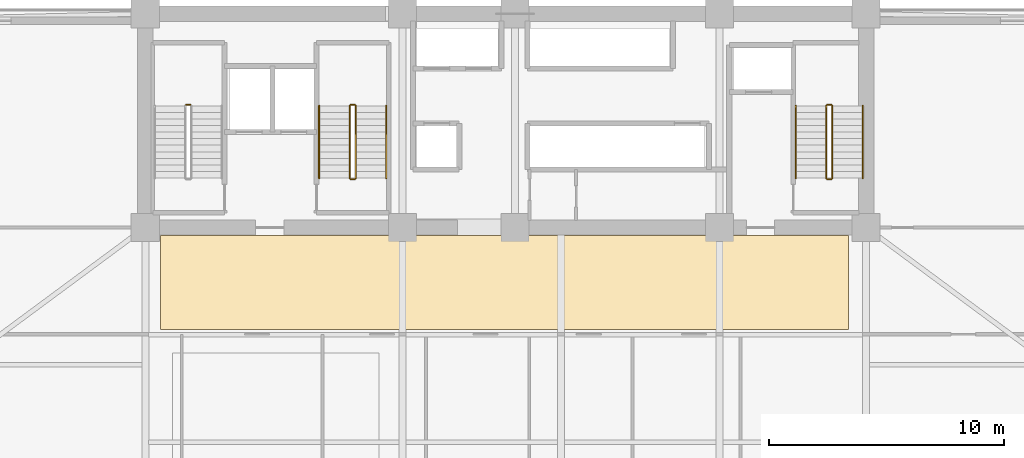
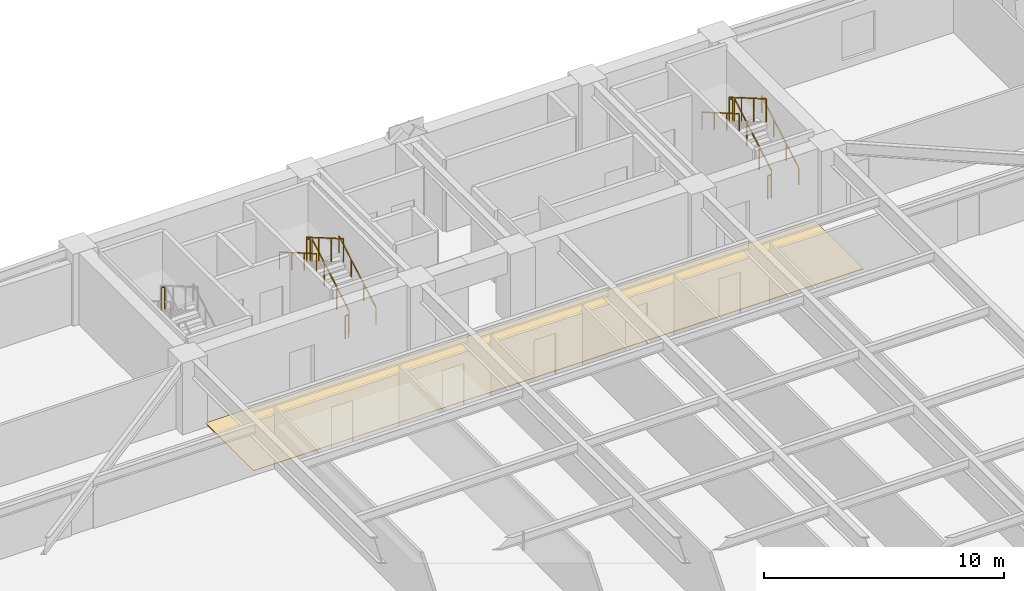
# One storey, part 17 of 18: 13 railings, 1 covering.
"""IFC4 building model written with IfcOpenShell, lengths in metres."""

from ifc_helpers import new_model, si_unit, direction, frame, origin, origin_2d, place, context, subcontext, project, spatial, polyline, rectangle, outline, extrude, material, layer, layer_set, type_object, element, save


model = new_model("IFC4")

# Units and contexts
model_context = context("Model", 3, precision=1e-05, world=origin(), true_north=direction((0.0, 1.0)))
body_context = subcontext(model_context, "Body", "Model", "MODEL_VIEW")
ifc_project = project(units=[si_unit("LENGTHUNIT", "METRE"), si_unit("AREAUNIT", "SQUARE_METRE"), si_unit("VOLUMEUNIT", "CUBIC_METRE"), si_unit("PLANEANGLEUNIT", "RADIAN"), si_unit("MASSUNIT", "GRAM", prefix="KILO")], contexts=[model_context])

# Site, building, storey
site_placement = place(None, origin())
site = spatial("IfcSite", under=ifc_project, at=site_placement, CompositionType="ELEMENT")
building_placement = place(site_placement, origin())
building = spatial("IfcBuilding", under=site, at=building_placement, Name="Giltprow Tower", CompositionType="ELEMENT")
storey_placement = place(building_placement, frame((0.0, 0.0, 68.89990234375)))
storey = spatial("IfcBuildingStorey", under=building, at=storey_placement, Name="L17", CompositionType="ELEMENT", Elevation=68.89990234375)

# Covering
ifc_material_1 = material(Name="Honed granite", Category="masonry")
ifc_layer = layer(ifc_material_1, 0.030029296875, Name="Honed granite")
ifc_layer_set = layer_set([ifc_layer], Name="Honed granite")
covering_type = type_object("IfcCoveringType", Name="COV-FLR-STONE", PredefinedType="FLOORING", material=ifc_layer_set)
covering_placement = place(storey_placement, origin())
element("IfcCovering", 1, at=covering_placement, inside=storey, type_object=covering_type, Name="L17 Office Corridor Stone Flooring", PredefinedType="FLOORING", context=body_context, shape_type="SweptSolid", body=[
    extrude(outline(polyline([(20.5, 33.10009765625), (49.800048828125, 33.10009765625), (49.800048828125, 37.10009765625), (20.5, 37.10009765625), (20.5, 33.10009765625)])), origin(), (0.0, 0.0, 1.0), 0.030029296875),
])

# Railings
ifc_material_2 = material(Name="Anodized bronze", Category="metal")
railing_type_1 = type_object("IfcRailingType", Name="RAIL-STAIR-GUARD-1200", PredefinedType="GUARDRAIL", material=ifc_material_2)
railing_1_placement = place(storey_placement, frame((21.760009765625, 42.679931640625, 1.9501953125)))
element("IfcRailing", 2, at=railing_1_placement, inside=storey, type_object=railing_type_1, Name="L17 ST-1 stair guard 2", PredefinedType="GUARDRAIL", context=body_context, shape_type="SweptSolid", body=[
    extrude(rectangle(XDim=0.048095703125, YDim=0.048095703125, at=origin_2d()), frame((0.0, 0.0, 1.17578125), z_axis=(-1.0, 0.0, 0.0), x_axis=(0.0, -1.0, 0.0)), (0.0, 0.0, 1.0), 0.159912109375),
    extrude(rectangle(XDim=0.0419921875, YDim=0.0419921875, at=origin_2d()), origin(), (0.0, 0.0, 1.0), 1.15185546875),
    extrude(rectangle(XDim=0.0419921875, YDim=0.0419921875, at=origin_2d()), frame((-0.159912109375, 0.0, 0.0)), (0.0, 0.0, 1.0), 1.15185546875),
])
railing_2_placement = place(storey_placement, frame((28.81005859375, 39.550048828125, 0.16259765625)))
element("IfcRailing", 3, at=railing_2_placement, inside=storey, type_object=railing_type_1, Name="L17 ST-2 stair guard 1", PredefinedType="GUARDRAIL", context=body_context, shape_type="SweptSolid", body=[
    extrude(rectangle(XDim=0.048095703125, YDim=0.048095703125, at=origin_2d()), frame((0.0, 0.0, 1.17578125), z_axis=(0.0, 0.864873446163, 0.501989962173), x_axis=(-1.0, 0.0, 0.0)), (0.0, 0.0, 1.0), 3.56103515625),
    extrude(rectangle(XDim=0.0419921875, YDim=0.0419921875, at=origin_2d()), origin(), (0.0, 0.0, 1.0), 1.15185546875),
    extrude(rectangle(XDim=0.0419921875, YDim=0.0419921875, at=origin_2d()), frame((0.0, 1.026611328125, 0.595947265625)), (0.0, 0.0, 1.0), 1.15185546875),
    extrude(rectangle(XDim=0.0419921875, YDim=0.0419921875, at=origin_2d()), frame((0.0, 2.05322265625, 1.191650390625)), (0.0, 0.0, 1.0), 1.15185546875),
    extrude(rectangle(XDim=0.0419921875, YDim=0.0419921875, at=origin_2d()), frame((0.0, 3.079833984375, 1.78759765625)), (0.0, 0.0, 1.0), 1.15185546875),
])
railing_3_placement = place(storey_placement, frame((28.760009765625, 42.679931640625, 1.9501953125)))
element("IfcRailing", 4, at=railing_3_placement, inside=storey, type_object=railing_type_1, Name="L17 ST-2 stair guard 2", PredefinedType="GUARDRAIL", context=body_context, shape_type="SweptSolid", body=[
    extrude(rectangle(XDim=0.048095703125, YDim=0.048095703125, at=origin_2d()), frame((0.0, 0.0, 1.17578125), z_axis=(-1.0, 0.0, 0.0), x_axis=(0.0, -1.0, 0.0)), (0.0, 0.0, 1.0), 0.159912109375),
    extrude(rectangle(XDim=0.0419921875, YDim=0.0419921875, at=origin_2d()), origin(), (0.0, 0.0, 1.0), 1.15185546875),
    extrude(rectangle(XDim=0.0419921875, YDim=0.0419921875, at=origin_2d()), frame((-0.159912109375, 0.0, 0.0)), (0.0, 0.0, 1.0), 1.15185546875),
])
railing_4_placement = place(storey_placement, frame((28.550048828125, 42.6298828125, 2.112548828125)))
element("IfcRailing", 5, at=railing_4_placement, inside=storey, type_object=railing_type_1, Name="L17 ST-2 stair guard 3", PredefinedType="GUARDRAIL", context=body_context, shape_type="SweptSolid", body=[
    extrude(rectangle(XDim=0.048095703125, YDim=0.048095703125, at=origin_2d()), frame((0.0, 0.0, 1.17578125), z_axis=(0.0, -0.864873446163, 0.501989962173), x_axis=(1.0, 0.0, 0.0)), (0.0, 0.0, 1.0), 3.56103515625),
    extrude(rectangle(XDim=0.0419921875, YDim=0.0419921875, at=origin_2d()), origin(), (0.0, 0.0, 1.0), 1.15185546875),
    extrude(rectangle(XDim=0.0419921875, YDim=0.0419921875, at=origin_2d()), frame((0.0, -1.026611328125, 0.595947265625)), (0.0, 0.0, 1.0), 1.15185546875),
    extrude(rectangle(XDim=0.0419921875, YDim=0.0419921875, at=origin_2d()), frame((0.0, -2.05322265625, 1.191650390625)), (0.0, 0.0, 1.0), 1.15185546875),
    extrude(rectangle(XDim=0.0419921875, YDim=0.0419921875, at=origin_2d()), frame((0.0, -3.079833984375, 1.78759765625)), (0.0, 0.0, 1.0), 1.15185546875),
])
railing_5_placement = place(storey_placement, frame((28.760009765625, 39.5, 0.0)))
element("IfcRailing", 6, at=railing_5_placement, inside=storey, type_object=railing_type_1, Name="L17 ST-2 stair guard 4", PredefinedType="GUARDRAIL", context=body_context, shape_type="SweptSolid", body=[
    extrude(rectangle(XDim=0.048095703125, YDim=0.048095703125, at=origin_2d()), frame((0.0, 0.0, 1.17578125), z_axis=(-1.0, 0.0, 0.0), x_axis=(0.0, -1.0, 0.0)), (0.0, 0.0, 1.0), 0.159912109375),
    extrude(rectangle(XDim=0.0419921875, YDim=0.0419921875, at=origin_2d()), origin(), (0.0, 0.0, 1.0), 1.15185546875),
    extrude(rectangle(XDim=0.0419921875, YDim=0.0419921875, at=origin_2d()), frame((-0.159912109375, 0.0, 0.0)), (0.0, 0.0, 1.0), 1.15185546875),
])
railing_6_placement = place(storey_placement, frame((49.110107421875, 39.550048828125, 0.16259765625)))
element("IfcRailing", 7, at=railing_6_placement, inside=storey, type_object=railing_type_1, Name="L17 ST-3 stair guard 1", PredefinedType="GUARDRAIL", context=body_context, shape_type="SweptSolid", body=[
    extrude(rectangle(XDim=0.048095703125, YDim=0.048095703125, at=origin_2d()), frame((0.0, 0.0, 1.17578125), z_axis=(0.0, 0.864873446163, 0.501989962173), x_axis=(-1.0, 0.0, 0.0)), (0.0, 0.0, 1.0), 3.56103515625),
    extrude(rectangle(XDim=0.0419921875, YDim=0.0419921875, at=origin_2d()), origin(), (0.0, 0.0, 1.0), 1.15185546875),
    extrude(rectangle(XDim=0.0419921875, YDim=0.0419921875, at=origin_2d()), frame((0.0, 1.026611328125, 0.595947265625)), (0.0, 0.0, 1.0), 1.15185546875),
    extrude(rectangle(XDim=0.0419921875, YDim=0.0419921875, at=origin_2d()), frame((0.0, 2.05322265625, 1.191650390625)), (0.0, 0.0, 1.0), 1.15185546875),
    extrude(rectangle(XDim=0.0419921875, YDim=0.0419921875, at=origin_2d()), frame((0.0, 3.079833984375, 1.78759765625)), (0.0, 0.0, 1.0), 1.15185546875),
])
railing_7_placement = place(storey_placement, frame((49.06005859375, 42.679931640625, 1.9501953125)))
element("IfcRailing", 8, at=railing_7_placement, inside=storey, type_object=railing_type_1, Name="L17 ST-3 stair guard 2", PredefinedType="GUARDRAIL", context=body_context, shape_type="SweptSolid", body=[
    extrude(rectangle(XDim=0.048095703125, YDim=0.048095703125, at=origin_2d()), frame((0.0, 0.0, 1.17578125), z_axis=(-1.0, 0.0, 0.0), x_axis=(0.0, -1.0, 0.0)), (0.0, 0.0, 1.0), 0.16015625),
    extrude(rectangle(XDim=0.0419921875, YDim=0.0419921875, at=origin_2d()), origin(), (0.0, 0.0, 1.0), 1.15185546875),
    extrude(rectangle(XDim=0.0419921875, YDim=0.0419921875, at=origin_2d()), frame((-0.16015625, 0.0, 0.0)), (0.0, 0.0, 1.0), 1.15185546875),
])
railing_8_placement = place(storey_placement, frame((48.85009765625, 42.6298828125, 2.112548828125)))
element("IfcRailing", 9, at=railing_8_placement, inside=storey, type_object=railing_type_1, Name="L17 ST-3 stair guard 3", PredefinedType="GUARDRAIL", context=body_context, shape_type="SweptSolid", body=[
    extrude(rectangle(XDim=0.048095703125, YDim=0.048095703125, at=origin_2d()), frame((0.0, 0.0, 1.17578125), z_axis=(0.0, -0.864873446163, 0.501989962173), x_axis=(1.0, 0.0, 0.0)), (0.0, 0.0, 1.0), 3.56103515625),
    extrude(rectangle(XDim=0.0419921875, YDim=0.0419921875, at=origin_2d()), origin(), (0.0, 0.0, 1.0), 1.15185546875),
    extrude(rectangle(XDim=0.0419921875, YDim=0.0419921875, at=origin_2d()), frame((0.0, -1.026611328125, 0.595947265625)), (0.0, 0.0, 1.0), 1.15185546875),
    extrude(rectangle(XDim=0.0419921875, YDim=0.0419921875, at=origin_2d()), frame((0.0, -2.05322265625, 1.191650390625)), (0.0, 0.0, 1.0), 1.15185546875),
    extrude(rectangle(XDim=0.0419921875, YDim=0.0419921875, at=origin_2d()), frame((0.0, -3.079833984375, 1.78759765625)), (0.0, 0.0, 1.0), 1.15185546875),
])
railing_9_placement = place(storey_placement, frame((49.06005859375, 39.5, 0.0)))
element("IfcRailing", 10, at=railing_9_placement, inside=storey, type_object=railing_type_1, Name="L17 ST-3 stair guard 4", PredefinedType="GUARDRAIL", context=body_context, shape_type="SweptSolid", body=[
    extrude(rectangle(XDim=0.048095703125, YDim=0.048095703125, at=origin_2d()), frame((0.0, 0.0, 1.17578125), z_axis=(-1.0, 0.0, 0.0), x_axis=(0.0, -1.0, 0.0)), (0.0, 0.0, 1.0), 0.16015625),
    extrude(rectangle(XDim=0.0419921875, YDim=0.0419921875, at=origin_2d()), origin(), (0.0, 0.0, 1.0), 1.15185546875),
    extrude(rectangle(XDim=0.0419921875, YDim=0.0419921875, at=origin_2d()), frame((-0.16015625, 0.0, 0.0)), (0.0, 0.0, 1.0), 1.15185546875),
])
railing_type_2 = type_object("IfcRailingType", Name="RAIL-STAIR-HAND-900", PredefinedType="HANDRAIL", material=ifc_material_2)
railing_10_placement = place(storey_placement, frame((30.110107421875, 39.550048828125, 0.16259765625)))
element("IfcRailing", 11, at=railing_10_placement, inside=storey, type_object=railing_type_2, Name="L17 ST-2 stair handrail 1", PredefinedType="HANDRAIL", context=body_context, shape_type="SweptSolid", body=[
    extrude(rectangle(XDim=0.048095703125, YDim=0.048095703125, at=origin_2d()), frame((0.0, 0.0, 0.8759765625), z_axis=(0.0, 0.864873446163, 0.501989962173), x_axis=(-1.0, 0.0, 0.0)), (0.0, 0.0, 1.0), 3.56103515625),
    extrude(rectangle(XDim=0.0419921875, YDim=0.0419921875, at=origin_2d()), origin(), (0.0, 0.0, 1.0), 0.851806640625),
    extrude(rectangle(XDim=0.0419921875, YDim=0.0419921875, at=origin_2d()), frame((0.0, 1.026611328125, 0.595947265625)), (0.0, 0.0, 1.0), 0.851806640625),
    extrude(rectangle(XDim=0.0419921875, YDim=0.0419921875, at=origin_2d()), frame((0.0, 2.05322265625, 1.191650390625)), (0.0, 0.0, 1.0), 0.851806640625),
    extrude(rectangle(XDim=0.0419921875, YDim=0.0419921875, at=origin_2d()), frame((0.0, 3.079833984375, 1.78759765625)), (0.0, 0.0, 1.0), 0.851806640625),
])
railing_11_placement = place(storey_placement, frame((27.25, 42.6298828125, 2.112548828125)))
element("IfcRailing", 12, at=railing_11_placement, inside=storey, type_object=railing_type_2, Name="L17 ST-2 stair handrail 2", PredefinedType="HANDRAIL", context=body_context, shape_type="SweptSolid", body=[
    extrude(rectangle(XDim=0.048095703125, YDim=0.048095703125, at=origin_2d()), frame((0.0, 0.0, 0.8759765625), z_axis=(0.0, -0.864873446163, 0.501989962173), x_axis=(1.0, 0.0, 0.0)), (0.0, 0.0, 1.0), 3.56103515625),
    extrude(rectangle(XDim=0.0419921875, YDim=0.0419921875, at=origin_2d()), origin(), (0.0, 0.0, 1.0), 0.851806640625),
    extrude(rectangle(XDim=0.0419921875, YDim=0.0419921875, at=origin_2d()), frame((0.0, -1.026611328125, 0.595947265625)), (0.0, 0.0, 1.0), 0.851806640625),
    extrude(rectangle(XDim=0.0419921875, YDim=0.0419921875, at=origin_2d()), frame((0.0, -2.05322265625, 1.191650390625)), (0.0, 0.0, 1.0), 0.851806640625),
    extrude(rectangle(XDim=0.0419921875, YDim=0.0419921875, at=origin_2d()), frame((0.0, -3.079833984375, 1.78759765625)), (0.0, 0.0, 1.0), 0.851806640625),
])
railing_12_placement = place(storey_placement, frame((50.409912109375, 39.550048828125, 0.16259765625)))
element("IfcRailing", 13, at=railing_12_placement, inside=storey, type_object=railing_type_2, Name="L17 ST-3 stair handrail 1", PredefinedType="HANDRAIL", context=body_context, shape_type="SweptSolid", body=[
    extrude(rectangle(XDim=0.048095703125, YDim=0.048095703125, at=origin_2d()), frame((0.0, 0.0, 0.8759765625), z_axis=(0.0, 0.864873446163, 0.501989962173), x_axis=(-1.0, 0.0, 0.0)), (0.0, 0.0, 1.0), 3.56103515625),
    extrude(rectangle(XDim=0.0419921875, YDim=0.0419921875, at=origin_2d()), origin(), (0.0, 0.0, 1.0), 0.851806640625),
    extrude(rectangle(XDim=0.0419921875, YDim=0.0419921875, at=origin_2d()), frame((0.0, 1.026611328125, 0.595947265625)), (0.0, 0.0, 1.0), 0.851806640625),
    extrude(rectangle(XDim=0.0419921875, YDim=0.0419921875, at=origin_2d()), frame((0.0, 2.05322265625, 1.191650390625)), (0.0, 0.0, 1.0), 0.851806640625),
    extrude(rectangle(XDim=0.0419921875, YDim=0.0419921875, at=origin_2d()), frame((0.0, 3.079833984375, 1.78759765625)), (0.0, 0.0, 1.0), 0.851806640625),
])
railing_13_placement = place(storey_placement, frame((47.550048828125, 42.6298828125, 2.112548828125)))
element("IfcRailing", 14, at=railing_13_placement, inside=storey, type_object=railing_type_2, Name="L17 ST-3 stair handrail 2", PredefinedType="HANDRAIL", context=body_context, shape_type="SweptSolid", body=[
    extrude(rectangle(XDim=0.048095703125, YDim=0.048095703125, at=origin_2d()), frame((0.0, 0.0, 0.8759765625), z_axis=(0.0, -0.864873446163, 0.501989962173), x_axis=(1.0, 0.0, 0.0)), (0.0, 0.0, 1.0), 3.56103515625),
    extrude(rectangle(XDim=0.0419921875, YDim=0.0419921875, at=origin_2d()), origin(), (0.0, 0.0, 1.0), 0.851806640625),
    extrude(rectangle(XDim=0.0419921875, YDim=0.0419921875, at=origin_2d()), frame((0.0, -1.026611328125, 0.595947265625)), (0.0, 0.0, 1.0), 0.851806640625),
    extrude(rectangle(XDim=0.0419921875, YDim=0.0419921875, at=origin_2d()), frame((0.0, -2.05322265625, 1.191650390625)), (0.0, 0.0, 1.0), 0.851806640625),
    extrude(rectangle(XDim=0.0419921875, YDim=0.0419921875, at=origin_2d()), frame((0.0, -3.079833984375, 1.78759765625)), (0.0, 0.0, 1.0), 0.851806640625),
])

save(model, "model.ifc")
